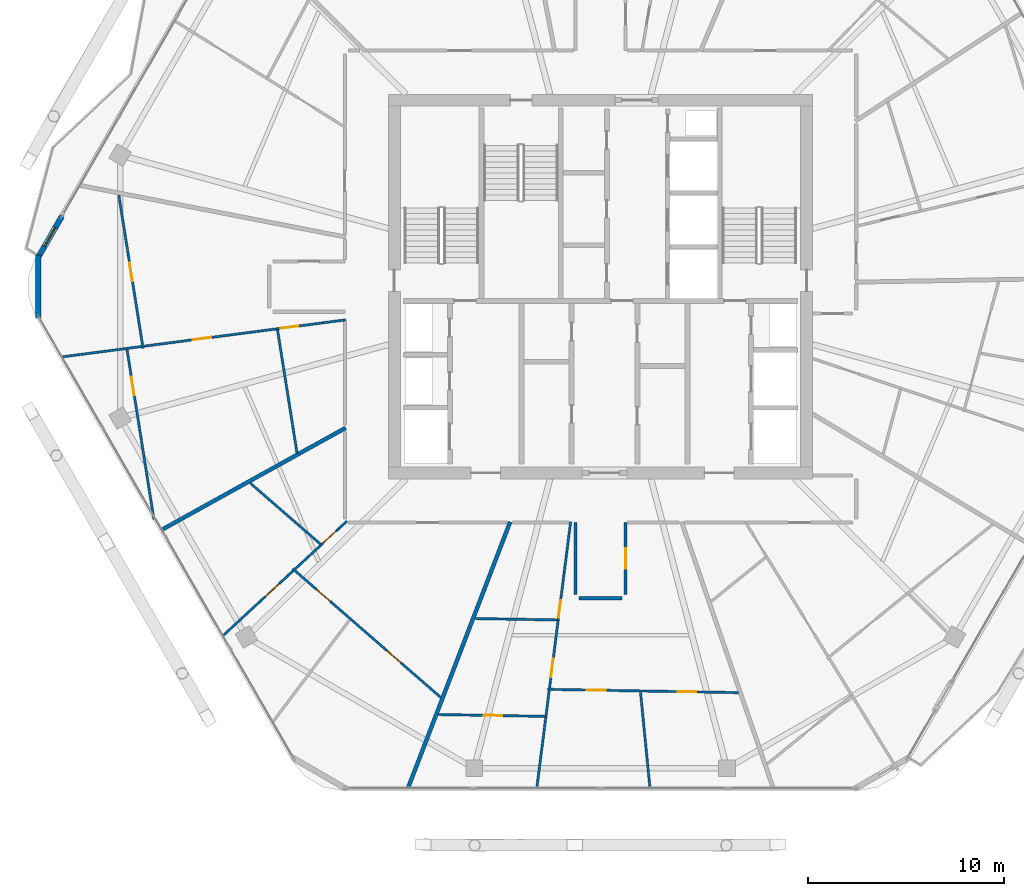
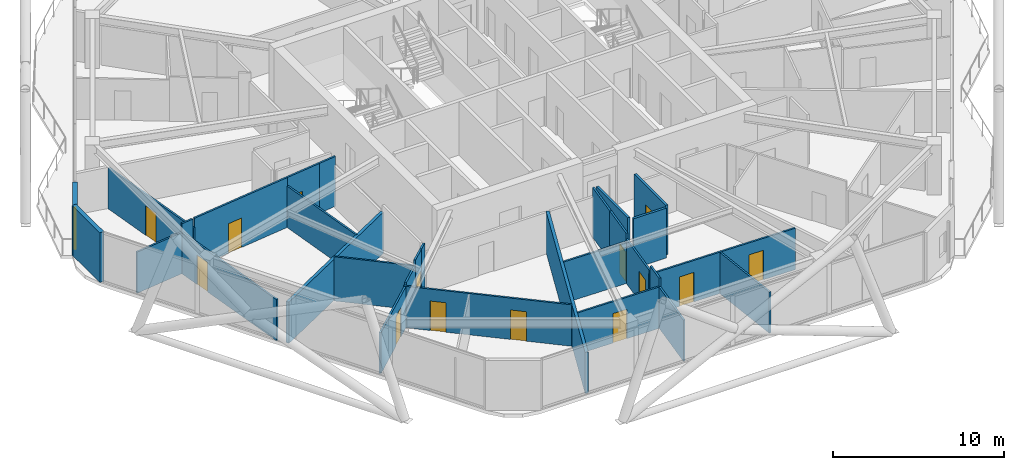
# One storey, part 20 of 29: 30 walls, 15 doors, 15 openings.
"""IFC4 building model written with IfcOpenShell, lengths in metres."""

from ifc_helpers import new_model, si_unit, direction, frame, frame_2d, origin, place, context, subcontext, project, spatial, rectangle, extrude, material, layer, layer_set, type_object, element, fill, save


model = new_model("IFC4")

# Units and contexts
model_context = context("Model", 3, precision=1e-05, world=origin(), true_north=direction((0.0, 1.0)))
body_context = subcontext(model_context, "Body", "Model", "MODEL_VIEW")
ifc_project = project(units=[si_unit("LENGTHUNIT", "METRE"), si_unit("AREAUNIT", "SQUARE_METRE"), si_unit("VOLUMEUNIT", "CUBIC_METRE"), si_unit("PLANEANGLEUNIT", "RADIAN"), si_unit("MASSUNIT", "GRAM", prefix="KILO")], contexts=[model_context])

# Site, building, storey
site_placement = place(None, origin())
site = spatial("IfcSite", under=ifc_project, at=site_placement, CompositionType="ELEMENT")
building_placement = place(site_placement, origin())
building = spatial("IfcBuilding", under=site, at=building_placement, Name="Zuhravey Tower", CompositionType="ELEMENT")
storey_placement = place(building_placement, frame((0.0, 0.0, 292.0)))
storey = spatial("IfcBuildingStorey", under=building, at=storey_placement, Name="L74", CompositionType="ELEMENT", Elevation=292.0)

# Wall, opening, door
ifc_material_1 = material(Name="Gypsum fire-rated stud partition")
ifc_layer_1 = layer(ifc_material_1, 0.159912109375)
ifc_layer_set_1 = layer_set([ifc_layer_1], Name="Gypsum fire-rated stud partition")
wall_type_1 = type_object("IfcWallType", Name="Corridor Fire Partition 160", PredefinedType="PARTITIONING", material=ifc_layer_set_1)
wall_1_placement = place(storey_placement, frame((37.280029296875, 16.300048828125, 0.0), z_axis=(0.0, 0.0, 1.0), x_axis=(0.0, 1.0, 0.0)))
wall_1 = element("IfcWall", 1, at=wall_1_placement, inside=storey, type_object=wall_type_1, Name="L74 IW16 Partition 036", PredefinedType="PARTITIONING", context=body_context, shape_type="SweptSolid", body=[
    extrude(rectangle(XDim=3.669921875, YDim=0.159912109375, at=frame_2d((1.8349609375, 0.0))), origin(), (0.0, 0.0, 1.0), 3.550048828125),
])
opening_1_placement = place(wall_1_placement, frame((1.31005859375, 0.0, 0.0)))
opening_1 = element("IfcOpeningElement", 2, at=opening_1_placement, cuts=wall_1, Name="Opening APD1", PredefinedType="OPENING", context=body_context, shape_type="SweptSolid", body=[
    extrude(rectangle(XDim=1.050048828125, YDim=2.14990234375, at=frame_2d((0.52490234375, 1.074951171875))), frame((0.0, 0.092041015625, 0.0), z_axis=(0.0, -1.0, 0.0), x_axis=(1.0, 0.0, 0.0)), (0.0, 0.0, 1.0), 0.183837890625),
])
ifc_material_2 = material(Name="Solid-core oak fire-rated leaf")
door_type_1 = type_object("IfcDoorType", Name="Apartment Entrance Fire Door 1050x2150", OperationType="NOTDEFINED", PredefinedType="DOOR", material=ifc_material_2)
door_1_placement = place(opening_1_placement, frame((1.050048828125, 0.0, 0.0), z_axis=(0.0, 0.0, 1.0), x_axis=(-1.0, 0.0, 0.0)))
door_1 = element("IfcDoor", 3, at=door_1_placement, inside=storey, type_object=door_type_1, Name="L74 Door 036.1", OperationType="SINGLE_SWING_RIGHT", OverallHeight=2.14990234375, OverallWidth=1.050048828125, PredefinedType="DOOR", context=body_context, shape_type="SweptSolid", body=[
    extrude(rectangle(XDim=1.050048828125, YDim=2.14990234375, at=frame_2d((0.52490234375, 1.074951171875))), frame((0.0, 0.02490234375, 0.0), z_axis=(0.0, -1.0, 0.0), x_axis=(1.0, 0.0, 0.0)), (0.0, 0.0, 1.0), 0.050048828125),
])
fill(opening_1, door_1)

# Walls
wall_2_placement = place(storey_placement, frame((34.719970703125, 19.969970703125, 0.0), z_axis=(0.0, 0.0, 1.0), x_axis=(0.0, -1.0, 0.0)))
element("IfcWall", 4, at=wall_2_placement, inside=storey, type_object=wall_type_1, Name="L74 IW16 Partition 115", PredefinedType="PARTITIONING", context=body_context, shape_type="SweptSolid", body=[
    extrude(rectangle(XDim=3.669921875, YDim=0.159912109375, at=frame_2d((1.8349609375, 0.0))), origin(), (0.0, 0.0, 1.0), 3.550048828125),
])
wall_3_placement = place(storey_placement, frame((34.89990234375, 16.1201171875, 0.0), z_axis=(0.0, 0.0, 1.0), x_axis=(1.0, 0.0, 0.0)))
element("IfcWall", 5, at=wall_3_placement, inside=storey, type_object=wall_type_1, Name="L74 IW16 Partition 117", PredefinedType="PARTITIONING", context=body_context, shape_type="SweptSolid", body=[
    extrude(rectangle(XDim=2.2001953125, YDim=0.159912109375, at=frame_2d((1.10009765625, 0.0))), origin(), (0.0, 0.0, 1.0), 3.550048828125),
])
ifc_material_3 = material(Name="Precast concrete C40/50", Category="concrete")
ifc_layer_2 = layer(ifc_material_3, 0.280029296875)
ifc_layer_set_2 = layer_set([ifc_layer_2], Name="Precast concrete C40/50")
wall_type_2 = type_object("IfcWallType", Name="Crown Architectural Wall 280", PredefinedType="SOLIDWALL", material=ifc_layer_set_2)
wall_4_placement = place(storey_placement, frame((7.35498046875, 30.392578125, 0.0), z_axis=(0.0, 0.0, 1.0), x_axis=(0.0, 1.0, 0.0)))
element("IfcWall", 6, at=wall_4_placement, inside=storey, type_object=wall_type_2, Name="L74 Rounded Corner Closure Wall EW28-06", PredefinedType="SOLIDWALL", context=body_context, shape_type="SweptSolid", body=[
    extrude(rectangle(XDim=3.21484375, YDim=0.280029296875, at=frame_2d((1.607421875, 0.0))), origin(), (0.0, 0.0, 1.0), 3.550048828125),
])

# Wall, opening, door
wall_5_placement = place(storey_placement, frame((7.33251953125, 33.473388671875, 0.0), z_axis=(0.0, 0.0, 1.0), x_axis=(0.49989822307, 0.866084156749, 0.0)))
wall_5 = element("IfcWall", 7, at=wall_5_placement, inside=storey, type_object=wall_type_2, Name="L74 Face 3 Facade Pier EW28-1", PredefinedType="SOLIDWALL", context=body_context, shape_type="SweptSolid", body=[
    extrude(rectangle(XDim=2.44482421875, YDim=0.280029296875, at=frame_2d((1.222412109375, 0.0))), origin(), (0.0, 0.0, 1.0), 3.550048828125),
])
opening_2_placement = place(wall_5_placement, frame((0.67236328125, 0.0, 0.0)))
opening_2 = element("IfcOpeningElement", 8, at=opening_2_placement, cuts=wall_5, Name="Opening BLD1", PredefinedType="OPENING", context=body_context, shape_type="SweptSolid", body=[
    extrude(rectangle(XDim=1.10009765625, YDim=2.199951171875, at=frame_2d((0.550048828125, 1.10009765625))), frame((0.0, 0.152099609375, 0.0), z_axis=(0.0, -1.0, 0.0), x_axis=(1.0, 0.0, 0.0)), (0.0, 0.0, 1.0), 0.303955078125),
])
ifc_material_4 = material(Name="Thermally broken aluminium and low-E glass", Category="aluminium")
door_type_2 = type_object("IfcDoorType", Name="Balcony & Sky-Tray Glazed Door 1100x2200", OperationType="NOTDEFINED", PredefinedType="DOOR", material=ifc_material_4)
door_2_placement = place(opening_2_placement, frame((1.10009765625, 0.0, 0.0), z_axis=(0.0, 0.0, 1.0), x_axis=(-1.0, 0.0, 0.0)))
door_2 = element("IfcDoor", 9, at=door_2_placement, inside=storey, type_object=door_type_2, Name="L74 Face 3 Wave Balcony Door", OperationType="SINGLE_SWING_RIGHT", OverallHeight=2.199951171875, OverallWidth=1.10009765625, PredefinedType="DOOR", context=body_context, shape_type="SweptSolid", body=[
    extrude(rectangle(XDim=1.10009765625, YDim=2.199951171875, at=frame_2d((0.550048828125, 1.10009765625))), frame((0.0, 0.02490234375, 0.0), z_axis=(0.0, -1.0, 0.0), x_axis=(1.0, 0.0, 0.0)), (0.0, 0.0, 1.0), 0.050048828125),
])
fill(opening_2, door_2)

# Walls
ifc_material_5 = material(Name="Gypsum double-stud party assembly")
ifc_layer_3 = layer(ifc_material_5, 0.199951171875)
ifc_layer_set_3 = layer_set([ifc_layer_3], Name="Gypsum double-stud party assembly")
wall_type_3 = type_object("IfcWallType", Name="Inter-Tenancy Party Wall 200", PredefinedType="PARTITIONING", material=ifc_layer_set_3)
wall_6_placement = place(storey_placement, frame((23.010009765625, 24.799560546875, 0.0), z_axis=(0.0, 0.0, 1.0), x_axis=(-0.874612572959, -0.484822490426, 0.0)))
element("IfcWall", 10, at=wall_6_placement, inside=storey, type_object=wall_type_3, Name="L74 IW20 Partition 075", PredefinedType="PARTITIONING", context=body_context, shape_type="SweptSolid", body=[
    extrude(rectangle(XDim=10.71533203125, YDim=0.199951171875, at=frame_2d((5.357666015625, 0.0))), origin(), (0.0, 0.0, 1.0), 2.929931640625),
])
wall_7_placement = place(storey_placement, frame((31.3974609375, 20.010009765625, 0.0), z_axis=(0.0, 0.0, 1.0), x_axis=(-0.358366886744, -0.933580834468, 0.0)))
element("IfcWall", 11, at=wall_7_placement, inside=storey, type_object=wall_type_3, Name="L74 IW20 Partition 079", PredefinedType="PARTITIONING", context=body_context, shape_type="SweptSolid", body=[
    extrude(rectangle(XDim=14.539306640625, YDim=0.199951171875, at=frame_2d((7.26953125, 0.0))), origin(), (0.0, 0.0, 1.0), 2.929931640625),
])

# Wall, opening, door
ifc_material_6 = material(Name="Gypsum metal-stud partition")
ifc_layer_4 = layer(ifc_material_6, 0.1201171875)
ifc_layer_set_4 = layer_set([ifc_layer_4], Name="Gypsum metal-stud partition")
wall_type_4 = type_object("IfcWallType", Name="Unit Internal Partition 120", PredefinedType="PARTITIONING", material=ifc_layer_set_4)
wall_8_placement = place(storey_placement, frame((11.451904296875, 36.6513671875, 0.0), z_axis=(0.0, 0.0, 1.0), x_axis=(0.156434250771, -0.987688374532, 0.0)))
wall_8 = element("IfcWall", 12, at=wall_8_placement, inside=storey, type_object=wall_type_4, Name="L74 IW12 Partition 020", PredefinedType="PARTITIONING", context=body_context, shape_type="SweptSolid", body=[
    extrude(rectangle(XDim=7.893798828125, YDim=0.1201171875, at=frame_2d((3.94677734375, 0.0))), origin(), (0.0, 0.0, 1.0), 2.929931640625),
])
opening_3_placement = place(wall_8_placement, frame((3.471923828125, 0.0, 0.0)))
opening_3 = element("IfcOpeningElement", 13, at=opening_3_placement, cuts=wall_8, Name="Opening IND1", PredefinedType="OPENING", context=body_context, shape_type="SweptSolid", body=[
    extrude(rectangle(XDim=0.949951171875, YDim=2.10009765625, at=frame_2d((0.47509765625, 1.050048828125))), frame((0.0, 0.072021484375, 0.0), z_axis=(0.0, -1.0, 0.0), x_axis=(1.0, 0.0, 0.0)), (0.0, 0.0, 1.0), 0.14404296875),
])
ifc_material_7 = material(Name="Painted engineered timber leaf", Category="wood")
door_type_3 = type_object("IfcDoorType", Name="Internal Room & Bedroom Door 950x2100", OperationType="NOTDEFINED", PredefinedType="DOOR", material=ifc_material_7)
door_3_placement = place(opening_3_placement, frame((0.949951171875, 0.0, 0.0), z_axis=(0.0, 0.0, 1.0), x_axis=(-1.0, 0.0, 0.0)))
door_3 = element("IfcDoor", 14, at=door_3_placement, inside=storey, type_object=door_type_3, Name="Apartment L74-01 Family Study Door", OperationType="SINGLE_SWING_LEFT", OverallHeight=2.10009765625, OverallWidth=0.949951171875, PredefinedType="DOOR", context=body_context, shape_type="SweptSolid", body=[
    extrude(rectangle(XDim=0.949951171875, YDim=2.10009765625, at=frame_2d((0.47509765625, 1.050048828125))), frame((0.0, 0.02490234375, 0.0), z_axis=(0.0, -1.0, 0.0), x_axis=(1.0, 0.0, 0.0)), (0.0, 0.0, 1.0), 0.050048828125),
])
fill(opening_3, door_3)

wall_9_placement = place(storey_placement, frame((21.833251953125, 30.14990234375, 0.0), z_axis=(0.0, 0.0, 1.0), x_axis=(-0.991584748444, -0.129459208454, 0.0)))
wall_9 = element("IfcWall", 15, at=wall_9_placement, inside=storey, type_object=wall_type_4, Name="L74 IW12 Partition 021", PredefinedType="PARTITIONING", context=body_context, shape_type="SweptSolid", body=[
    extrude(rectangle(XDim=2.347900390625, YDim=0.1201171875, at=frame_2d((1.173828125, 0.0))), origin(), (0.0, 0.0, 1.0), 3.550048828125),
])
opening_4_placement = place(wall_9_placement, frame((1.240478515625, 0.0, 0.0)))
opening_4 = element("IfcOpeningElement", 16, at=opening_4_placement, cuts=wall_9, Name="Opening WCD1", PredefinedType="OPENING", context=body_context, shape_type="SweptSolid", body=[
    extrude(rectangle(XDim=0.89990234375, YDim=2.10009765625, at=frame_2d((0.449951171875, 1.050048828125))), frame((0.0, 0.072021484375, 0.0), z_axis=(0.0, -1.0, 0.0), x_axis=(1.0, 0.0, 0.0)), (0.0, 0.0, 1.0), 0.14404296875),
])
ifc_material_8 = material(Name="Moisture-resistant timber leaf", Category="wood")
door_type_4 = type_object("IfcDoorType", Name="Bathroom & WC Internal Door 900x2100", OperationType="NOTDEFINED", PredefinedType="DOOR", material=ifc_material_8)
door_4_placement = place(opening_4_placement, origin())
door_4 = element("IfcDoor", 17, at=door_4_placement, inside=storey, type_object=door_type_4, Name="Apartment L74-01 Bathroom Door", OperationType="SINGLE_SWING_RIGHT", OverallHeight=2.10009765625, OverallWidth=0.89990234375, PredefinedType="DOOR", context=body_context, shape_type="SweptSolid", body=[
    extrude(rectangle(XDim=0.89990234375, YDim=2.10009765625, at=frame_2d((0.449951171875, 1.050048828125))), frame((0.0, 0.02490234375, 0.0), z_axis=(0.0, -1.0, 0.0), x_axis=(1.0, 0.0, 0.0)), (0.0, 0.0, 1.0), 0.050048828125),
])
fill(opening_4, door_4)

wall_10_placement = place(storey_placement, frame((19.505126953125, 29.845947265625, 0.0), z_axis=(0.0, 0.0, 1.0), x_axis=(-0.99158264657, -0.129475306608, 0.0)))
wall_10 = element("IfcWall", 18, at=wall_10_placement, inside=storey, type_object=wall_type_4, Name="L74 IW12 Partition 022", PredefinedType="PARTITIONING", context=body_context, shape_type="SweptSolid", body=[
    extrude(rectangle(XDim=6.823974609375, YDim=0.1201171875, at=frame_2d((3.412109375, 0.0))), origin(), (0.0, 0.0, 1.0), 3.550048828125),
])
opening_5_placement = place(wall_10_placement, frame((3.36767578125, 0.0, 0.0)))
opening_5 = element("IfcOpeningElement", 19, at=opening_5_placement, cuts=wall_10, Name="Opening IND1", PredefinedType="OPENING", context=body_context, shape_type="SweptSolid", body=[
    extrude(rectangle(XDim=0.949951171875, YDim=2.10009765625, at=frame_2d((0.47509765625, 1.050048828125))), frame((0.0, 0.072021484375, 0.0), z_axis=(0.0, -1.0, 0.0), x_axis=(1.0, 0.0, 0.0)), (0.0, 0.0, 1.0), 0.14404296875),
])
door_5_placement = place(opening_5_placement, origin())
door_5 = element("IfcDoor", 20, at=door_5_placement, inside=storey, type_object=door_type_3, Name="Apartment L74-01 Home Office Door", OperationType="SINGLE_SWING_LEFT", OverallHeight=2.10009765625, OverallWidth=0.949951171875, PredefinedType="DOOR", context=body_context, shape_type="SweptSolid", body=[
    extrude(rectangle(XDim=0.949951171875, YDim=2.10009765625, at=frame_2d((0.47509765625, 1.050048828125))), frame((0.0, 0.02490234375, 0.0), z_axis=(0.0, -1.0, 0.0), x_axis=(1.0, 0.0, 0.0)), (0.0, 0.0, 1.0), 0.050048828125),
])
fill(opening_5, door_5)

# Wall
wall_11_placement = place(storey_placement, frame((12.603759765625, 28.94482421875, 0.0), z_axis=(0.0, 0.0, 1.0), x_axis=(-0.99158987253, -0.129419954782, 0.0)))
element("IfcWall", 21, at=wall_11_placement, inside=storey, type_object=wall_type_4, Name="L74 IW12 Partition 023", PredefinedType="PARTITIONING", context=body_context, shape_type="SweptSolid", body=[
    extrude(rectangle(XDim=0.775390625, YDim=0.1201171875, at=frame_2d((0.3876953125, 0.0))), origin(), (0.0, 0.0, 1.0), 3.550048828125),
])

# Wall, opening, door
wall_12_placement = place(storey_placement, frame((11.870361328125, 28.780517578125, 0.0), z_axis=(0.0, 0.0, 1.0), x_axis=(0.156433742153, -0.987688455089, 0.0)))
wall_12 = element("IfcWall", 22, at=wall_12_placement, inside=storey, type_object=wall_type_4, Name="L74 IW12 Partition 024", PredefinedType="PARTITIONING", context=body_context, shape_type="SweptSolid", body=[
    extrude(rectangle(XDim=8.753662109375, YDim=0.1201171875, at=frame_2d((4.376953125, 0.0))), origin(), (0.0, 0.0, 1.0), 2.929931640625),
])
opening_6_placement = place(wall_12_placement, frame((1.40380859375, 0.0, 0.0)))
opening_6 = element("IfcOpeningElement", 23, at=opening_6_placement, cuts=wall_12, Name="Opening IND1", PredefinedType="OPENING", context=body_context, shape_type="SweptSolid", body=[
    extrude(rectangle(XDim=0.949951171875, YDim=2.10009765625, at=frame_2d((0.47509765625, 1.050048828125))), frame((0.0, 0.072021484375, 0.0), z_axis=(0.0, -1.0, 0.0), x_axis=(1.0, 0.0, 0.0)), (0.0, 0.0, 1.0), 0.14404296875),
])
door_6_placement = place(opening_6_placement, frame((0.949951171875, 0.0, 0.0), z_axis=(0.0, 0.0, 1.0), x_axis=(-1.0, 0.0, 0.0)))
door_6 = element("IfcDoor", 24, at=door_6_placement, inside=storey, type_object=door_type_3, Name="Apartment L74-01 Bedroom 1 Door", OperationType="SINGLE_SWING_RIGHT", OverallHeight=2.10009765625, OverallWidth=0.949951171875, PredefinedType="DOOR", context=body_context, shape_type="SweptSolid", body=[
    extrude(rectangle(XDim=0.949951171875, YDim=2.10009765625, at=frame_2d((0.47509765625, 1.050048828125))), frame((0.0, 0.02490234375, 0.0), z_axis=(0.0, -1.0, 0.0), x_axis=(1.0, 0.0, 0.0)), (0.0, 0.0, 1.0), 0.050048828125),
])
fill(opening_6, door_6)

# Wall, openings, doors
wall_13_placement = place(storey_placement, frame((20.30810546875, 17.62548828125, 0.0), z_axis=(0.0, 0.0, 1.0), x_axis=(0.754720551027, -0.656046408311, 0.0)))
wall_13 = element("IfcWall", 25, at=wall_13_placement, inside=storey, type_object=wall_type_4, Name="L74 IW12 Partition 026", PredefinedType="PARTITIONING", context=body_context, shape_type="SweptSolid", body=[
    extrude(rectangle(XDim=10.005615234375, YDim=0.1201171875, at=frame_2d((5.0029296875, 0.0))), origin(), (0.0, 0.0, 1.0), 2.949951171875),
])
opening_7_placement = place(wall_13_placement, frame((1.5966796875, 0.0, 0.0)))
opening_7 = element("IfcOpeningElement", 26, at=opening_7_placement, cuts=wall_13, Name="Opening IND1", PredefinedType="OPENING", context=body_context, shape_type="SweptSolid", body=[
    extrude(rectangle(XDim=0.949951171875, YDim=2.10009765625, at=frame_2d((0.47509765625, 1.050048828125))), frame((0.0, 0.072021484375, 0.0), z_axis=(0.0, -1.0, 0.0), x_axis=(1.0, 0.0, 0.0)), (0.0, 0.0, 1.0), 0.14404296875),
])
opening_8_placement = place(wall_13_placement, frame((6.359619140625, 0.0, 0.0)))
opening_8 = element("IfcOpeningElement", 27, at=opening_8_placement, cuts=wall_13, Name="Opening IND1", PredefinedType="OPENING", context=body_context, shape_type="SweptSolid", body=[
    extrude(rectangle(XDim=0.949951171875, YDim=2.10009765625, at=frame_2d((0.47509765625, 1.050048828125))), frame((0.0, 0.072021484375, 0.0), z_axis=(0.0, -1.0, 0.0), x_axis=(1.0, 0.0, 0.0)), (0.0, 0.0, 1.0), 0.14404296875),
])
door_7_placement = place(opening_7_placement, frame((0.949951171875, 0.0, 0.0), z_axis=(0.0, 0.0, 1.0), x_axis=(-1.0, 0.0, 0.0)))
door_7 = element("IfcDoor", 28, at=door_7_placement, inside=storey, type_object=door_type_3, Name="Apartment L74-02 Family Study Door", OperationType="SINGLE_SWING_RIGHT", OverallHeight=2.10009765625, OverallWidth=0.949951171875, PredefinedType="DOOR", context=body_context, shape_type="SweptSolid", body=[
    extrude(rectangle(XDim=0.949951171875, YDim=2.10009765625, at=frame_2d((0.47509765625, 1.050048828125))), frame((0.0, 0.02490234375, 0.0), z_axis=(0.0, -1.0, 0.0), x_axis=(1.0, 0.0, 0.0)), (0.0, 0.0, 1.0), 0.050048828125),
])
fill(opening_7, door_7)
door_8_placement = place(opening_8_placement, frame((0.949951171875, 0.0, 0.0), z_axis=(0.0, 0.0, 1.0), x_axis=(-1.0, 0.0, 0.0)))
door_8 = element("IfcDoor", 29, at=door_8_placement, inside=storey, type_object=door_type_3, Name="Apartment L74-02 Dining Room Door", OperationType="SINGLE_SWING_LEFT", OverallHeight=2.10009765625, OverallWidth=0.949951171875, PredefinedType="DOOR", context=body_context, shape_type="SweptSolid", body=[
    extrude(rectangle(XDim=0.949951171875, YDim=2.10009765625, at=frame_2d((0.47509765625, 1.050048828125))), frame((0.0, 0.02490234375, 0.0), z_axis=(0.0, -1.0, 0.0), x_axis=(1.0, 0.0, 0.0)), (0.0, 0.0, 1.0), 0.050048828125),
])
fill(opening_8, door_8)

# Wall, opening, door
wall_14_placement = place(storey_placement, frame((22.6162109375, 19.62353515625, 0.0), z_axis=(0.0, 0.0, 1.0), x_axis=(-0.734367339526, -0.678752245401, 0.0)))
wall_14 = element("IfcWall", 30, at=wall_14_placement, inside=storey, type_object=wall_type_4, Name="L74 IW12 Partition 027", PredefinedType="PARTITIONING", context=body_context, shape_type="SweptSolid", body=[
    extrude(rectangle(XDim=1.180908203125, YDim=0.1201171875, at=frame_2d((0.59033203125, 0.0))), origin(), (0.0, 0.0, 1.0), 3.550048828125),
])
opening_9_placement = place(wall_14_placement, frame((0.12646484375, 0.0, 0.0)))
opening_9 = element("IfcOpeningElement", 31, at=opening_9_placement, cuts=wall_14, Name="Opening WCD1", PredefinedType="OPENING", context=body_context, shape_type="SweptSolid", body=[
    extrude(rectangle(XDim=0.89990234375, YDim=2.10009765625, at=frame_2d((0.449951171875, 1.050048828125))), frame((0.0, 0.072021484375, 0.0), z_axis=(0.0, -1.0, 0.0), x_axis=(1.0, 0.0, 0.0)), (0.0, 0.0, 1.0), 0.14404296875),
])
door_9_placement = place(opening_9_placement, frame((0.89990234375, 0.0, 0.0), z_axis=(0.0, 0.0, 1.0), x_axis=(-1.0, 0.0, 0.0)))
door_9 = element("IfcDoor", 32, at=door_9_placement, inside=storey, type_object=door_type_4, Name="Apartment L74-02 Bathroom Door", OperationType="SINGLE_SWING_RIGHT", OverallHeight=2.10009765625, OverallWidth=0.89990234375, PredefinedType="DOOR", context=body_context, shape_type="SweptSolid", body=[
    extrude(rectangle(XDim=0.89990234375, YDim=2.10009765625, at=frame_2d((0.449951171875, 1.050048828125))), frame((0.0, 0.02490234375, 0.0), z_axis=(0.0, -1.0, 0.0), x_axis=(1.0, 0.0, 0.0)), (0.0, 0.0, 1.0), 0.050048828125),
])
fill(opening_9, door_9)

# Wall
wall_15_placement = place(storey_placement, frame((21.7490234375, 18.822021484375, 0.0), z_axis=(0.0, 0.0, 1.0), x_axis=(-0.734170781852, -0.678964846715, 0.0)))
element("IfcWall", 33, at=wall_15_placement, inside=storey, type_object=wall_type_4, Name="L74 IW12 Partition 028", PredefinedType="PARTITIONING", context=body_context, shape_type="SweptSolid", body=[
    extrude(rectangle(XDim=1.791015625, YDim=0.1201171875, at=frame_2d((0.8955078125, 0.0))), origin(), (0.0, 0.0, 1.0), 3.14990234375),
])

# Wall, opening, door
wall_16_placement = place(storey_placement, frame((20.333740234375, 17.51318359375, 0.0), z_axis=(0.0, 0.0, 1.0), x_axis=(-0.734219813618, -0.678911824386, 0.0)))
wall_16 = element("IfcWall", 34, at=wall_16_placement, inside=storey, type_object=wall_type_4, Name="L74 IW12 Partition 029", PredefinedType="PARTITIONING", context=body_context, shape_type="SweptSolid", body=[
    extrude(rectangle(XDim=4.877685546875, YDim=0.1201171875, at=frame_2d((2.43896484375, 0.0))), origin(), (0.0, 0.0, 1.0), 2.929931640625),
])
opening_10_placement = place(wall_16_placement, frame((0.974853515625, 0.0, 0.0)))
opening_10 = element("IfcOpeningElement", 35, at=opening_10_placement, cuts=wall_16, Name="Opening IND1", PredefinedType="OPENING", context=body_context, shape_type="SweptSolid", body=[
    extrude(rectangle(XDim=0.949951171875, YDim=2.10009765625, at=frame_2d((0.47509765625, 1.050048828125))), frame((0.0, 0.072021484375, 0.0), z_axis=(0.0, -1.0, 0.0), x_axis=(1.0, 0.0, 0.0)), (0.0, 0.0, 1.0), 0.14404296875),
])
door_10_placement = place(opening_10_placement, frame((0.949951171875, 0.0, 0.0), z_axis=(0.0, 0.0, 1.0), x_axis=(-1.0, 0.0, 0.0)))
door_10 = element("IfcDoor", 36, at=door_10_placement, inside=storey, type_object=door_type_3, Name="Apartment L74-02 Bedroom 1 Door", OperationType="SINGLE_SWING_LEFT", OverallHeight=2.10009765625, OverallWidth=0.949951171875, PredefinedType="DOOR", context=body_context, shape_type="SweptSolid", body=[
    extrude(rectangle(XDim=0.949951171875, YDim=2.10009765625, at=frame_2d((0.47509765625, 1.050048828125))), frame((0.0, 0.02490234375, 0.0), z_axis=(0.0, -1.0, 0.0), x_axis=(1.0, 0.0, 0.0)), (0.0, 0.0, 1.0), 0.050048828125),
])
fill(opening_10, door_10)

# Wall, openings, doors
wall_17_placement = place(storey_placement, frame((33.291748046875, 11.475830078125, 0.0), z_axis=(0.0, 0.0, 1.0), x_axis=(0.999847788191, -0.01744707568, 0.0)))
wall_17 = element("IfcWall", 37, at=wall_17_placement, inside=storey, type_object=wall_type_4, Name="L74 IW12 Partition 031", PredefinedType="PARTITIONING", context=body_context, shape_type="SweptSolid", body=[
    extrude(rectangle(XDim=9.7392578125, YDim=0.1201171875, at=frame_2d((4.86962890625, 0.0))), origin(), (0.0, 0.0, 1.0), 2.949951171875),
])
opening_11_placement = place(wall_17_placement, frame((2.01611328125, 0.0, 0.0)))
opening_11 = element("IfcOpeningElement", 38, at=opening_11_placement, cuts=wall_17, Name="Opening IND1", PredefinedType="OPENING", context=body_context, shape_type="SweptSolid", body=[
    extrude(rectangle(XDim=0.949951171875, YDim=2.10009765625, at=frame_2d((0.47509765625, 1.050048828125))), frame((0.0, 0.072021484375, 0.0), z_axis=(0.0, -1.0, 0.0), x_axis=(1.0, 0.0, 0.0)), (0.0, 0.0, 1.0), 0.14404296875),
])
opening_12_placement = place(wall_17_placement, frame((6.64501953125, 0.0, 0.0)))
opening_12 = element("IfcOpeningElement", 39, at=opening_12_placement, cuts=wall_17, Name="Opening IND1", PredefinedType="OPENING", context=body_context, shape_type="SweptSolid", body=[
    extrude(rectangle(XDim=0.949951171875, YDim=2.10009765625, at=frame_2d((0.47509765625, 1.050048828125))), frame((0.0, 0.072021484375, 0.0), z_axis=(0.0, -1.0, 0.0), x_axis=(1.0, 0.0, 0.0)), (0.0, 0.0, 1.0), 0.14404296875),
])
door_11_placement = place(opening_11_placement, frame((0.949951171875, 0.0, 0.0), z_axis=(0.0, 0.0, 1.0), x_axis=(-1.0, 0.0, 0.0)))
door_11 = element("IfcDoor", 40, at=door_11_placement, inside=storey, type_object=door_type_3, Name="Apartment L74-03 Family Study Door", OperationType="SINGLE_SWING_LEFT", OverallHeight=2.10009765625, OverallWidth=0.949951171875, PredefinedType="DOOR", context=body_context, shape_type="SweptSolid", body=[
    extrude(rectangle(XDim=0.949951171875, YDim=2.10009765625, at=frame_2d((0.47509765625, 1.050048828125))), frame((0.0, 0.02490234375, 0.0), z_axis=(0.0, -1.0, 0.0), x_axis=(1.0, 0.0, 0.0)), (0.0, 0.0, 1.0), 0.050048828125),
])
fill(opening_11, door_11)
door_12_placement = place(opening_12_placement, frame((0.949951171875, 0.0, 0.0), z_axis=(0.0, 0.0, 1.0), x_axis=(-1.0, 0.0, 0.0)))
door_12 = element("IfcDoor", 41, at=door_12_placement, inside=storey, type_object=door_type_3, Name="Apartment L74-03 Dining Room Door", OperationType="SINGLE_SWING_RIGHT", OverallHeight=2.10009765625, OverallWidth=0.949951171875, PredefinedType="DOOR", context=body_context, shape_type="SweptSolid", body=[
    extrude(rectangle(XDim=0.949951171875, YDim=2.10009765625, at=frame_2d((0.47509765625, 1.050048828125))), frame((0.0, 0.02490234375, 0.0), z_axis=(0.0, -1.0, 0.0), x_axis=(1.0, 0.0, 0.0)), (0.0, 0.0, 1.0), 0.050048828125),
])
fill(opening_12, door_12)

# Wall, opening, door
wall_18_placement = place(storey_placement, frame((34.14990234375, 17.437744140625, 0.0), z_axis=(0.0, 0.0, 1.0), x_axis=(-0.125966368588, -0.992034512497, 0.0)))
wall_18 = element("IfcWall", 42, at=wall_18_placement, inside=storey, type_object=wall_type_4, Name="L74 IW12 Partition 032", PredefinedType="PARTITIONING", context=body_context, shape_type="SweptSolid", body=[
    extrude(rectangle(XDim=2.47314453125, YDim=0.1201171875, at=frame_2d((1.236572265625, 0.0))), origin(), (0.0, 0.0, 1.0), 3.550048828125),
])
opening_13_placement = place(wall_18_placement, frame((1.424560546875, 0.0, 0.0)))
opening_13 = element("IfcOpeningElement", 43, at=opening_13_placement, cuts=wall_18, Name="Opening WCD1", PredefinedType="OPENING", context=body_context, shape_type="SweptSolid", body=[
    extrude(rectangle(XDim=0.89990234375, YDim=2.10009765625, at=frame_2d((0.449951171875, 1.050048828125))), frame((0.0, 0.072021484375, 0.0), z_axis=(0.0, -1.0, 0.0), x_axis=(1.0, 0.0, 0.0)), (0.0, 0.0, 1.0), 0.14404296875),
])
door_13_placement = place(opening_13_placement, frame((0.89990234375, 0.0, 0.0), z_axis=(0.0, 0.0, 1.0), x_axis=(-1.0, 0.0, 0.0)))
door_13 = element("IfcDoor", 44, at=door_13_placement, inside=storey, type_object=door_type_4, Name="Apartment L74-03 Bathroom Door", OperationType="SINGLE_SWING_LEFT", OverallHeight=2.10009765625, OverallWidth=0.89990234375, PredefinedType="DOOR", context=body_context, shape_type="SweptSolid", body=[
    extrude(rectangle(XDim=0.89990234375, YDim=2.10009765625, at=frame_2d((0.449951171875, 1.050048828125))), frame((0.0, 0.02490234375, 0.0), z_axis=(0.0, -1.0, 0.0), x_axis=(1.0, 0.0, 0.0)), (0.0, 0.0, 1.0), 0.050048828125),
])
fill(opening_13, door_13)

wall_19_placement = place(storey_placement, frame((33.83837890625, 14.984375, 0.0), z_axis=(0.0, 0.0, 1.0), x_axis=(-0.126008805625, -0.992029123012, 0.0)))
wall_19 = element("IfcWall", 45, at=wall_19_placement, inside=storey, type_object=wall_type_4, Name="L74 IW12 Partition 033", PredefinedType="PARTITIONING", context=body_context, shape_type="SweptSolid", body=[
    extrude(rectangle(XDim=3.469970703125, YDim=0.1201171875, at=frame_2d((1.73486328125, 0.0))), origin(), (0.0, 0.0, 1.0), 3.14990234375),
])
opening_14_placement = place(wall_19_placement, frame((1.976318359375, 0.0, 0.0)))
opening_14 = element("IfcOpeningElement", 46, at=opening_14_placement, cuts=wall_19, Name="Opening IND1", PredefinedType="OPENING", context=body_context, shape_type="SweptSolid", body=[
    extrude(rectangle(XDim=0.949951171875, YDim=2.10009765625, at=frame_2d((0.47509765625, 1.050048828125))), frame((0.0, 0.072021484375, 0.0), z_axis=(0.0, -1.0, 0.0), x_axis=(1.0, 0.0, 0.0)), (0.0, 0.0, 1.0), 0.14404296875),
])
door_14_placement = place(opening_14_placement, frame((0.949951171875, 0.0, 0.0), z_axis=(0.0, 0.0, 1.0), x_axis=(-1.0, 0.0, 0.0)))
door_14 = element("IfcDoor", 47, at=door_14_placement, inside=storey, type_object=door_type_3, Name="Apartment L74-03 Home Office Door", OperationType="SINGLE_SWING_RIGHT", OverallHeight=2.10009765625, OverallWidth=0.949951171875, PredefinedType="DOOR", context=body_context, shape_type="SweptSolid", body=[
    extrude(rectangle(XDim=0.949951171875, YDim=2.10009765625, at=frame_2d((0.47509765625, 1.050048828125))), frame((0.0, 0.02490234375, 0.0), z_axis=(0.0, -1.0, 0.0), x_axis=(1.0, 0.0, 0.0)), (0.0, 0.0, 1.0), 0.050048828125),
])
fill(opening_14, door_14)

# Wall
wall_20_placement = place(storey_placement, frame((33.3837890625, 11.40625, 0.0), z_axis=(0.0, 0.0, 1.0), x_axis=(-0.126066042506, -0.992021851033, 0.0)))
element("IfcWall", 48, at=wall_20_placement, inside=storey, type_object=wall_type_4, Name="L74 IW12 Partition 034", PredefinedType="PARTITIONING", context=body_context, shape_type="SweptSolid", body=[
    extrude(rectangle(XDim=1.345947265625, YDim=0.1201171875, at=frame_2d((0.6728515625, 0.0))), origin(), (0.0, 0.0, 1.0), 3.550048828125),
])

# Wall, opening, door
wall_21_placement = place(storey_placement, frame((27.739501953125, 10.191650390625, 0.0), z_axis=(0.0, 0.0, 1.0), x_axis=(0.999847499712, -0.017463599873, 0.0)))
wall_21 = element("IfcWall", 49, at=wall_21_placement, inside=storey, type_object=wall_type_4, Name="L74 IW12 Partition 035", PredefinedType="PARTITIONING", context=body_context, shape_type="SweptSolid", body=[
    extrude(rectangle(XDim=5.41015625, YDim=0.1201171875, at=frame_2d((2.705078125, 0.0))), origin(), (0.0, 0.0, 1.0), 2.949951171875),
])
opening_15_placement = place(wall_21_placement, frame((2.314697265625, 0.0, 0.0)))
opening_15 = element("IfcOpeningElement", 50, at=opening_15_placement, cuts=wall_21, Name="Opening IND1", PredefinedType="OPENING", context=body_context, shape_type="SweptSolid", body=[
    extrude(rectangle(XDim=0.949951171875, YDim=2.10009765625, at=frame_2d((0.47509765625, 1.050048828125))), frame((0.0, 0.072021484375, 0.0), z_axis=(0.0, -1.0, 0.0), x_axis=(1.0, 0.0, 0.0)), (0.0, 0.0, 1.0), 0.14404296875),
])
door_15_placement = place(opening_15_placement, frame((0.949951171875, 0.0, 0.0), z_axis=(0.0, 0.0, 1.0), x_axis=(-1.0, 0.0, 0.0)))
door_15 = element("IfcDoor", 51, at=door_15_placement, inside=storey, type_object=door_type_3, Name="Apartment L74-03 Bedroom 1 Door", OperationType="SINGLE_SWING_LEFT", OverallHeight=2.10009765625, OverallWidth=0.949951171875, PredefinedType="DOOR", context=body_context, shape_type="SweptSolid", body=[
    extrude(rectangle(XDim=0.949951171875, YDim=2.10009765625, at=frame_2d((0.47509765625, 1.050048828125))), frame((0.0, 0.02490234375, 0.0), z_axis=(0.0, -1.0, 0.0), x_axis=(1.0, 0.0, 0.0)), (0.0, 0.0, 1.0), 0.050048828125),
])
fill(opening_15, door_15)

# Walls
wall_22_placement = place(storey_placement, frame((23.014892578125, 30.30419921875, 0.0), z_axis=(0.0, 0.0, 1.0), x_axis=(-0.991582122711, -0.129479318503, 0.0)))
element("IfcWall", 52, at=wall_22_placement, inside=storey, type_object=wall_type_4, Name="L74 IW12 Partition 072", PredefinedType="PARTITIONING", context=body_context, shape_type="SweptSolid", body=[
    extrude(rectangle(XDim=1.191650390625, YDim=0.1201171875, at=frame_2d((0.595703125, 0.0))), origin(), (0.0, 0.0, 1.0), 3.550048828125),
])
wall_23_placement = place(storey_placement, frame((11.8349609375, 28.84423828125, 0.0), z_axis=(0.0, 0.0, 1.0), x_axis=(-0.991583154188, -0.129471418974, 0.0)))
element("IfcWall", 53, at=wall_23_placement, inside=storey, type_object=wall_type_4, Name="L74 IW12 Partition 073", PredefinedType="PARTITIONING", context=body_context, shape_type="SweptSolid", body=[
    extrude(rectangle(XDim=3.31494140625, YDim=0.1201171875, at=frame_2d((1.657470703125, 0.0))), origin(), (0.0, 0.0, 1.0), 2.929931640625),
])
wall_24_placement = place(storey_placement, frame((19.54052734375, 29.781982421875, 0.0), z_axis=(0.0, 0.0, 1.0), x_axis=(0.156450653455, -0.987685776466, 0.0)))
element("IfcWall", 54, at=wall_24_placement, inside=storey, type_object=wall_type_4, Name="L74 IW12 Partition 074", PredefinedType="PARTITIONING", context=body_context, shape_type="SweptSolid", body=[
    extrude(rectangle(XDim=6.369873046875, YDim=0.1201171875, at=frame_2d((3.18505859375, 0.0))), origin(), (0.0, 0.0, 1.0), 2.949951171875),
])
wall_25_placement = place(storey_placement, frame((23.068603515625, 20.0419921875, 0.0), z_axis=(0.0, 0.0, 1.0), x_axis=(-0.73410437669, -0.67903664417, 0.0)))
element("IfcWall", 55, at=wall_25_placement, inside=storey, type_object=wall_type_4, Name="L74 IW12 Partition 077", PredefinedType="PARTITIONING", context=body_context, shape_type="SweptSolid", body=[
    extrude(rectangle(XDim=0.6162109375, YDim=0.1201171875, at=frame_2d((0.30810546875, 0.0))), origin(), (0.0, 0.0, 1.0), 3.550048828125),
])
wall_26_placement = place(storey_placement, frame((18.151123046875, 21.982666015625, 0.0), z_axis=(0.0, 0.0, 1.0), x_axis=(0.754743487658, -0.656020020912, 0.0)))
element("IfcWall", 56, at=wall_26_placement, inside=storey, type_object=wall_type_4, Name="L74 IW12 Partition 078", PredefinedType="PARTITIONING", context=body_context, shape_type="SweptSolid", body=[
    extrude(rectangle(XDim=4.723388671875, YDim=0.1201171875, at=frame_2d((2.36181640625, 0.0))), origin(), (0.0, 0.0, 1.0), 3.14990234375),
])
wall_27_placement = place(storey_placement, frame((38.0380859375, 11.3251953125, 0.0), z_axis=(0.0, 0.0, 1.0), x_axis=(0.098099997669, -0.995176562454, 0.0)))
element("IfcWall", 57, at=wall_27_placement, inside=storey, type_object=wall_type_4, Name="L74 IW12 Partition 080", PredefinedType="PARTITIONING", context=body_context, shape_type="SweptSolid", body=[
    extrude(rectangle(XDim=4.942626953125, YDim=0.1201171875, at=frame_2d((2.47119140625, 0.0))), origin(), (0.0, 0.0, 1.0), 2.929931640625),
])
wall_28_placement = place(storey_placement, frame((34.477294921875, 20.014892578125, 0.0), z_axis=(0.0, 0.0, 1.0), x_axis=(-0.126023918114, -0.992027203288, 0.0)))
element("IfcWall", 58, at=wall_28_placement, inside=storey, type_object=wall_type_4, Name="L74 IW12 Partition 081", PredefinedType="PARTITIONING", context=body_context, shape_type="SweptSolid", body=[
    extrude(rectangle(XDim=2.597900390625, YDim=0.1201171875, at=frame_2d((1.298828125, 0.0))), origin(), (0.0, 0.0, 1.0), 3.550048828125),
])
wall_29_placement = place(storey_placement, frame((33.214111328125, 10.071044921875, 0.0), z_axis=(0.0, 0.0, 1.0), x_axis=(-0.126032826636, -0.992026071537, 0.0)))
element("IfcWall", 59, at=wall_29_placement, inside=storey, type_object=wall_type_4, Name="L74 IW12 Partition 082", PredefinedType="PARTITIONING", context=body_context, shape_type="SweptSolid", body=[
    extrude(rectangle(XDim=3.6689453125, YDim=0.1201171875, at=frame_2d((1.83447265625, 0.0))), origin(), (0.0, 0.0, 1.0), 2.929931640625),
])
wall_30_placement = place(storey_placement, frame((29.621826171875, 15.0830078125, 0.0), z_axis=(0.0, 0.0, 1.0), x_axis=(0.999847495958, -0.017463814767, 0.0)))
element("IfcWall", 60, at=wall_30_placement, inside=storey, type_object=wall_type_4, Name="L74 IW12 Partition 083", PredefinedType="PARTITIONING", context=body_context, shape_type="SweptSolid", body=[
    extrude(rectangle(XDim=4.152099609375, YDim=0.1201171875, at=frame_2d((2.076171875, 0.0))), origin(), (0.0, 0.0, 1.0), 2.949951171875),
])

save(model, "model.ifc")
